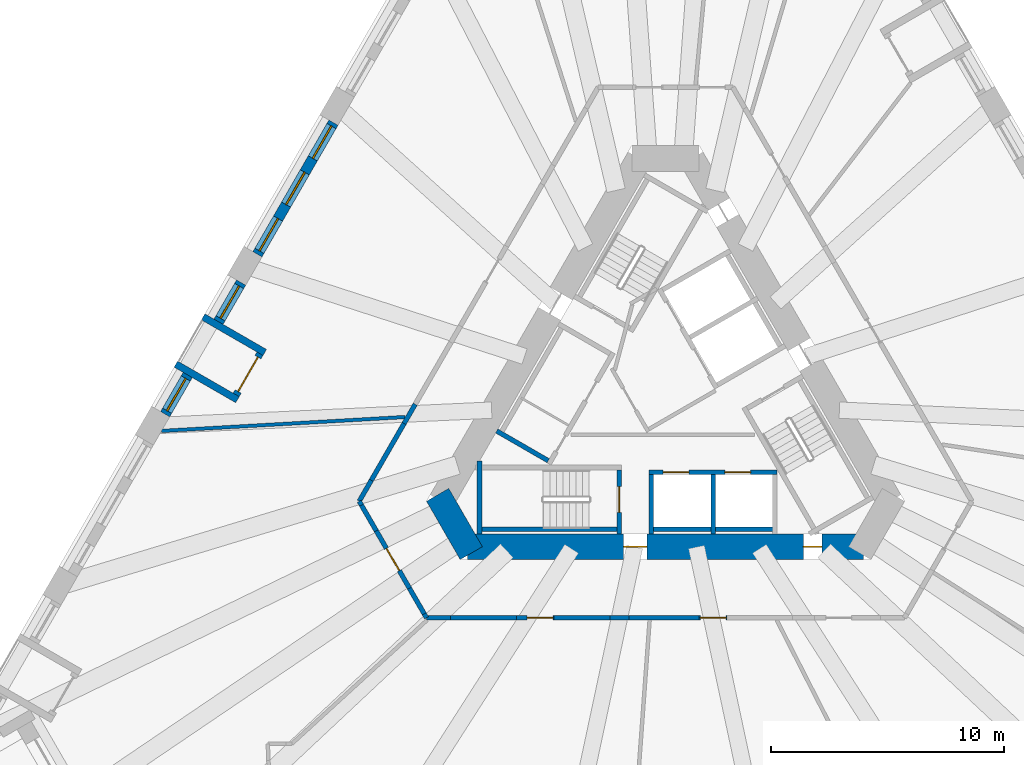
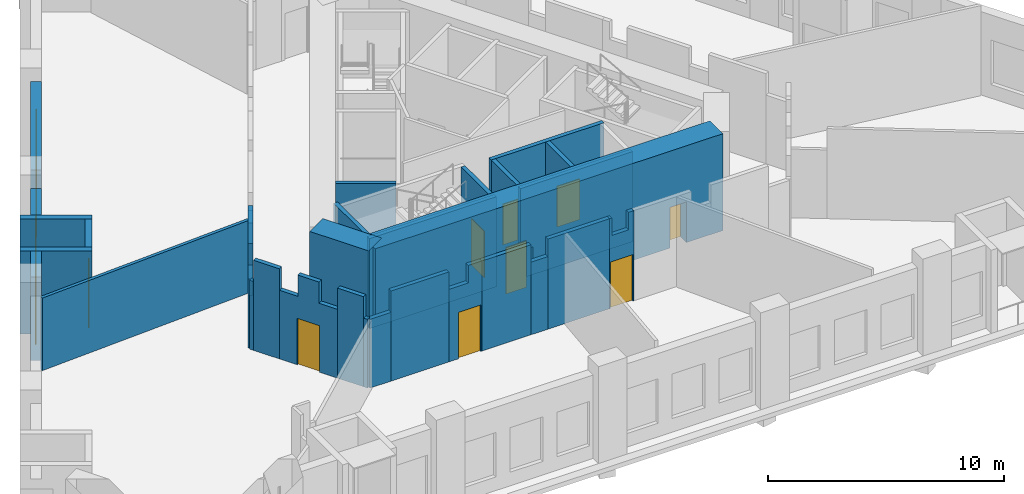
# One storey, part 3 of 12: 32 walls, 9 doors, 5 windows, 14 openings.
"""IFC4 building model written with IfcOpenShell, lengths in metres."""

from ifc_helpers import new_model, si_unit, direction, frame, frame_2d, origin, place, context, subcontext, project, spatial, polyline, rectangle, outline, extrude, material, layer, layer_set, type_object, element, fill, save


model = new_model("IFC4")

# Units and contexts
model_context = context("Model", 3, precision=1e-05, world=origin(), true_north=direction((0.0, 1.0)))
body_context = subcontext(model_context, "Body", "Model", "MODEL_VIEW")
ifc_project = project(units=[si_unit("LENGTHUNIT", "METRE"), si_unit("AREAUNIT", "SQUARE_METRE"), si_unit("VOLUMEUNIT", "CUBIC_METRE"), si_unit("PLANEANGLEUNIT", "RADIAN"), si_unit("MASSUNIT", "GRAM", prefix="KILO")], contexts=[model_context])

# Site, building, storey
site_placement = place(None, origin())
site = spatial("IfcSite", under=ifc_project, at=site_placement, CompositionType="ELEMENT")
building_placement = place(site_placement, origin())
building = spatial("IfcBuilding", under=site, at=building_placement, Name="Tramontana Tower", CompositionType="ELEMENT")
storey_placement = place(building_placement, frame((0.0, 0.0, 25.0)))
storey = spatial("IfcBuildingStorey", under=building, at=storey_placement, Name="L04", CompositionType="ELEMENT", Elevation=25.0)

# Wall
ifc_material_1 = material(Name="Concrete 70 MPa", Category="concrete")
ifc_layer_1 = layer(ifc_material_1, 1.10009765625)
ifc_layer_set_1 = layer_set([ifc_layer_1], Name="Core wall 1100 70 MPa")
wall_type_1 = type_object("IfcWallType", Name="Core wall 1100 70 MPa", PredefinedType="SHEAR", material=ifc_layer_set_1)
wall_1_placement = place(storey_placement, frame((-9.771728515625, -3.97509765625, 0.0), z_axis=(0.0, 0.0, 1.0), x_axis=(0.499995765644, -0.866027848477, 0.0)))
element("IfcWall", 1, at=wall_1_placement, inside=storey, type_object=wall_type_1, Name="Core wall C2 L04", PredefinedType="SHEAR", context=body_context, shape_type="SweptSolid", body=[
    extrude(rectangle(XDim=2.88671875, YDim=1.10009765625, at=frame_2d((1.443359375, 0.0))), origin(), (0.0, 0.0, 1.0), 5.0),
])

# Wall, openings, doors
wall_2_placement = place(storey_placement, frame((-8.487060546875, -6.199951171875, 0.0), z_axis=(0.0, 0.0, 1.0), x_axis=(1.0, 0.0, 0.0)))
wall_2 = element("IfcWall", 2, at=wall_2_placement, inside=storey, type_object=wall_type_1, Name="Core wall C3 L04", PredefinedType="SHEAR", context=body_context, shape_type="SweptSolid", body=[
    extrude(rectangle(XDim=16.97412109375, YDim=1.10009765625, at=frame_2d((8.487060546875, 0.0))), origin(), (0.0, 0.0, 1.0), 5.0),
])
opening_1_placement = place(wall_2_placement, frame((6.69189453125, 0.0, 0.0)))
opening_1 = element("IfcOpeningElement", 3, at=opening_1_placement, cuts=wall_2, Name="Opening RG2", PredefinedType="OPENING", context=body_context, shape_type="SweptSolid", body=[
    extrude(rectangle(XDim=1.0, YDim=2.39990234375, at=frame_2d((0.5, 1.199951171875))), frame((0.0, 0.56005859375, 0.0), z_axis=(0.0, -1.0, 0.0), x_axis=(1.0, 0.0, 0.0)), (0.0, 0.0, 1.0), 1.1201171875),
])
opening_2_placement = place(wall_2_placement, frame((14.39697265625, 0.0, 0.0)))
opening_2 = element("IfcOpeningElement", 4, at=opening_2_placement, cuts=wall_2, Name="Opening PD2", PredefinedType="OPENING", context=body_context, shape_type="SweptSolid", body=[
    extrude(rectangle(XDim=0.800048828125, YDim=2.10009765625, at=frame_2d((0.39990234375, 1.050048828125))), frame((0.0, 0.56005859375, 0.0), z_axis=(0.0, -1.0, 0.0), x_axis=(1.0, 0.0, 0.0)), (0.0, 0.0, 1.0), 1.1201171875),
])
ifc_material_2 = material(Name="Painted steel", Category="steel")
door_type_1 = type_object("IfcDoorType", Name="CUPBOARD DOOR 800", OperationType="SINGLE_SWING_LEFT", PredefinedType="DOOR", material=ifc_material_2)
door_1_placement = place(opening_2_placement, origin())
door_1 = element("IfcDoor", 5, at=door_1_placement, inside=storey, type_object=door_type_1, Name="Door PD2", OperationType="SINGLE_SWING_LEFT", OverallHeight=2.10009765625, OverallWidth=0.800048828125, PredefinedType="DOOR", context=body_context, shape_type="SweptSolid", body=[
    extrude(rectangle(XDim=0.800048828125, YDim=2.10009765625, at=frame_2d((0.39990234375, 1.050048828125))), frame((0.0, 0.02490234375, 0.0), z_axis=(0.0, -1.0, 0.0), x_axis=(1.0, 0.0, 0.0)), (0.0, 0.0, 1.0), 0.050048828125),
])
fill(opening_2, door_1)
ifc_material_3 = material(Name="Painted steel", Category="steel")
door_type_2 = type_object("IfcDoorType", Name="RING DOOR 1000", OperationType="SINGLE_SWING_LEFT", PredefinedType="DOOR", material=ifc_material_3)
door_2_placement = place(opening_1_placement, origin())
door_2 = element("IfcDoor", 6, at=door_2_placement, inside=storey, type_object=door_type_2, Name="Door RG2", OperationType="SINGLE_SWING_LEFT", OverallHeight=2.39990234375, OverallWidth=1.0, PredefinedType="DOOR", context=body_context, shape_type="SweptSolid", body=[
    extrude(rectangle(XDim=1.0, YDim=2.39990234375, at=frame_2d((0.5, 1.199951171875))), frame((0.0, 0.02490234375, 0.0), z_axis=(0.0, -1.0, 0.0), x_axis=(1.0, 0.0, 0.0)), (0.0, 0.0, 1.0), 0.050048828125),
])
fill(opening_1, door_2)

# Wall, opening, door
ifc_material_4 = material(Name="Blockwork", Category="masonry")
ifc_layer_2 = layer(ifc_material_4, 0.199951171875)
ifc_layer_set_2 = layer_set([ifc_layer_2], Name="ENTRY WALL 200")
wall_type_2 = type_object("IfcWallType", Name="ENTRY WALL 200", PredefinedType="SOLIDWALL", material=ifc_layer_set_2)
wall_3_placement = place(storey_placement, frame((2.64501953125, -9.25, 0.0), z_axis=(0.0, 0.0, 1.0), x_axis=(-1.0, 0.0, 0.0)))
wall_3 = element("IfcWall", 7, at=wall_3_placement, inside=storey, type_object=wall_type_2, Name="Wall ew2-4", PredefinedType="SOLIDWALL", context=body_context, shape_type="SweptSolid", body=[
    extrude(outline(polyline([(0.0, 0.0), (1.199951171875, 0.0), (1.199951171875, 4.64990234375), (1.080078125, 4.64990234375), (1.080078125, 3.75), (0.261962890625, 3.75), (0.261962890625, 4.64990234375), (0.0, 4.64990234375), (0.0, 0.0)])), frame((0.0, 0.10009765625, 0.0), z_axis=(0.0, -1.0, 0.0), x_axis=(1.0, 0.0, 0.0)), (0.0, 0.0, 1.0), 0.199951171875),
])
opening_3_placement = place(wall_3_placement, frame((0.050048828125, 0.0, 0.0)))
opening_3 = element("IfcOpeningElement", 8, at=opening_3_placement, cuts=wall_3, Name="Opening L04-04", PredefinedType="OPENING", context=body_context, shape_type="SweptSolid", body=[
    extrude(rectangle(XDim=1.10009765625, YDim=2.39990234375, at=frame_2d((0.550048828125, 1.199951171875))), frame((0.0, 0.10986328125, 0.0), z_axis=(0.0, -1.0, 0.0), x_axis=(1.0, 0.0, 0.0)), (0.0, 0.0, 1.0), 0.219970703125),
])
ifc_material_5 = material(Name="Painted timber", Category="wood")
door_type_3 = type_object("IfcDoorType", Name="DOOR ENTRY 1100", OperationType="SINGLE_SWING_LEFT", PredefinedType="DOOR", material=ifc_material_5)
door_3_placement = place(opening_3_placement, origin())
door_3 = element("IfcDoor", 9, at=door_3_placement, inside=storey, type_object=door_type_3, Name="Door L04-04", OperationType="SINGLE_SWING_RIGHT", OverallHeight=2.39990234375, OverallWidth=1.10009765625, PredefinedType="DOOR", context=body_context, shape_type="SweptSolid", body=[
    extrude(rectangle(XDim=1.10009765625, YDim=2.39990234375, at=frame_2d((0.550048828125, 1.199951171875))), frame((0.0, 0.02490234375, 0.0), z_axis=(0.0, -1.0, 0.0), x_axis=(1.0, 0.0, 0.0)), (0.0, 0.0, 1.0), 0.050048828125),
])
fill(opening_3, door_3)

# Walls
wall_4_placement = place(storey_placement, frame((1.445068359375, -9.25, 0.0), z_axis=(0.0, 0.0, 1.0), x_axis=(-1.0, 0.0, 0.0)))
element("IfcWall", 10, at=wall_4_placement, inside=storey, type_object=wall_type_2, Name="Wall ew2-5", PredefinedType="SOLIDWALL", context=body_context, shape_type="SweptSolid", body=[
    extrude(rectangle(XDim=3.01025390625, YDim=0.199951171875, at=frame_2d((1.505126953125, 0.0))), origin(), (0.0, 0.0, 1.0), 4.64990234375),
])
wall_5_placement = place(storey_placement, frame((-1.565185546875, -9.25, 0.0), z_axis=(0.0, 0.0, 1.0), x_axis=(-1.0, 0.0, 0.0)))
element("IfcWall", 11, at=wall_5_placement, inside=storey, type_object=wall_type_2, Name="Wall ew2-6", PredefinedType="SOLIDWALL", context=body_context, shape_type="SweptSolid", body=[
    extrude(rectangle(XDim=0.81787109375, YDim=0.199951171875, at=frame_2d((0.408935546875, 0.0))), origin(), (0.0, 0.0, 1.0), 3.75),
])
wall_6_placement = place(storey_placement, frame((-2.383056640625, -9.25, 0.0), z_axis=(0.0, 0.0, 1.0), x_axis=(-1.0, 0.0, 0.0)))
element("IfcWall", 12, at=wall_6_placement, inside=storey, type_object=wall_type_2, Name="Wall ew2-7", PredefinedType="SOLIDWALL", context=body_context, shape_type="SweptSolid", body=[
    extrude(rectangle(XDim=2.40087890625, YDim=0.199951171875, at=frame_2d((1.200439453125, 0.0))), origin(), (0.0, 0.0, 1.0), 4.64990234375),
])

# Wall, opening, door
wall_7_placement = place(storey_placement, frame((-4.783935546875, -9.25, 0.0), z_axis=(0.0, 0.0, 1.0), x_axis=(-1.0, 0.0, 0.0)))
wall_7 = element("IfcWall", 13, at=wall_7_placement, inside=storey, type_object=wall_type_2, Name="Wall ew2-8", PredefinedType="SOLIDWALL", context=body_context, shape_type="SweptSolid", body=[
    extrude(outline(polyline([(0.0, 0.0), (1.613525390625, 0.0), (1.61328125, 3.75), (0.663330078125, 3.75), (0.663330078125, 4.64990234375), (0.0, 4.64990234375), (0.0, 0.0)])), frame((0.0, 0.10009765625, 0.0), z_axis=(0.0, -1.0, 0.0), x_axis=(1.0, 0.0, 0.0)), (0.0, 0.0, 1.0), 0.199951171875),
])
opening_4_placement = place(wall_7_placement, frame((0.050048828125, 0.0, 0.0)))
opening_4 = element("IfcOpeningElement", 14, at=opening_4_placement, cuts=wall_7, Name="Opening L04-03", PredefinedType="OPENING", context=body_context, shape_type="SweptSolid", body=[
    extrude(rectangle(XDim=1.10009765625, YDim=2.39990234375, at=frame_2d((0.550048828125, 1.199951171875))), frame((0.0, 0.10986328125, 0.0), z_axis=(0.0, -1.0, 0.0), x_axis=(1.0, 0.0, 0.0)), (0.0, 0.0, 1.0), 0.219970703125),
])
door_4_placement = place(opening_4_placement, origin())
door_4 = element("IfcDoor", 15, at=door_4_placement, inside=storey, type_object=door_type_3, Name="Door L04-03", OperationType="SINGLE_SWING_LEFT", OverallHeight=2.39990234375, OverallWidth=1.10009765625, PredefinedType="DOOR", context=body_context, shape_type="SweptSolid", body=[
    extrude(rectangle(XDim=1.10009765625, YDim=2.39990234375, at=frame_2d((0.550048828125, 1.199951171875))), frame((0.0, 0.02490234375, 0.0), z_axis=(0.0, -1.0, 0.0), x_axis=(1.0, 0.0, 0.0)), (0.0, 0.0, 1.0), 0.050048828125),
])
fill(opening_4, door_4)

# Walls
wall_8_placement = place(storey_placement, frame((-6.3974609375, -9.25, 0.0), z_axis=(0.0, 0.0, 1.0), x_axis=(-1.0, 0.0, 0.0)))
element("IfcWall", 16, at=wall_8_placement, inside=storey, type_object=wall_type_2, Name="Wall ew2-9", PredefinedType="SOLIDWALL", context=body_context, shape_type="SweptSolid", body=[
    extrude(rectangle(XDim=2.815185546875, YDim=0.199951171875, at=frame_2d((1.40771484375, 0.0))), origin(), (0.0, 0.0, 1.0), 4.64990234375),
])
wall_9_placement = place(storey_placement, frame((-9.212646484375, -9.25, 0.0), z_axis=(0.0, 0.0, 1.0), x_axis=(-1.0, 0.0, 0.0)))
element("IfcWall", 17, at=wall_9_placement, inside=storey, type_object=wall_type_2, Name="Wall ew2-10", PredefinedType="SOLIDWALL", context=body_context, shape_type="SweptSolid", body=[
    extrude(rectangle(XDim=1.035400390625, YDim=0.199951171875, at=frame_2d((0.517578125, 0.0))), origin(), (0.0, 0.0, 1.0), 3.550048828125),
])
wall_10_placement = place(storey_placement, frame((-10.248046875, -9.25, 0.0), z_axis=(0.0, 0.0, 1.0), x_axis=(-0.499865263774, 0.866103179807, 0.0)))
element("IfcWall", 18, at=wall_10_placement, inside=storey, type_object=wall_type_2, Name="Wall ew3-0", PredefinedType="SOLIDWALL", context=body_context, shape_type="SweptSolid", body=[
    extrude(rectangle(XDim=0.197265625, YDim=0.199951171875, at=frame_2d((0.0986328125, 0.0))), origin(), (0.0, 0.0, 1.0), 3.550048828125),
])
wall_11_placement = place(storey_placement, frame((-10.3466796875, -9.0791015625, 0.0), z_axis=(0.0, 0.0, 1.0), x_axis=(-0.499911523785, 0.866076479525, 0.0)))
element("IfcWall", 19, at=wall_11_placement, inside=storey, type_object=wall_type_2, Name="Wall ew3-1", PredefinedType="SOLIDWALL", context=body_context, shape_type="SweptSolid", body=[
    extrude(rectangle(XDim=1.266845703125, YDim=0.199951171875, at=frame_2d((0.63330078125, 0.0))), origin(), (0.0, 0.0, 1.0), 4.64990234375),
])

# Wall, opening, door
wall_12_placement = place(storey_placement, frame((-10.97998046875, -7.98193359375, 0.0), z_axis=(0.0, 0.0, 1.0), x_axis=(-0.500024525844, 0.866011243319, 0.0)))
wall_12 = element("IfcWall", 20, at=wall_12_placement, inside=storey, type_object=wall_type_2, Name="Wall ew3-2", PredefinedType="SOLIDWALL", context=body_context, shape_type="SweptSolid", body=[
    extrude(outline(polyline([(0.0, 0.0), (2.844970703125, 0.0), (2.84521484375, 3.550048828125), (1.94287109375, 3.550048828125), (1.94287109375, 4.64990234375), (0.90234375, 4.64990234375), (0.90234375, 3.550048828125), (0.0, 3.550048828125), (0.0, 0.0)])), frame((0.0, 0.10009765625, 0.0), z_axis=(0.0, -1.0, 0.0), x_axis=(1.0, 0.0, 0.0)), (0.0, 0.0, 1.0), 0.199951171875),
])
opening_5_placement = place(wall_12_placement, frame((0.87255859375, 0.0, 0.0)))
opening_5 = element("IfcOpeningElement", 21, at=opening_5_placement, cuts=wall_12, Name="Opening L04-02", PredefinedType="OPENING", context=body_context, shape_type="SweptSolid", body=[
    extrude(rectangle(XDim=1.10009765625, YDim=2.39990234375, at=frame_2d((0.550048828125, 1.199951171875))), frame((0.0, 0.10986328125, 0.0), z_axis=(0.0, -1.0, 0.0), x_axis=(1.0, 0.0, 0.0)), (0.0, 0.0, 1.0), 0.219970703125),
])
door_5_placement = place(opening_5_placement, origin())
door_5 = element("IfcDoor", 22, at=door_5_placement, inside=storey, type_object=door_type_3, Name="Door L04-02", OperationType="SINGLE_SWING_RIGHT", OverallHeight=2.39990234375, OverallWidth=1.10009765625, PredefinedType="DOOR", context=body_context, shape_type="SweptSolid", body=[
    extrude(rectangle(XDim=1.10009765625, YDim=2.39990234375, at=frame_2d((0.550048828125, 1.199951171875))), frame((0.0, 0.02490234375, 0.0), z_axis=(0.0, -1.0, 0.0), x_axis=(1.0, 0.0, 0.0)), (0.0, 0.0, 1.0), 0.050048828125),
])
fill(opening_5, door_5)

# Walls
wall_13_placement = place(storey_placement, frame((-12.402587890625, -5.51806640625, 0.0), z_axis=(0.0, 0.0, 1.0), x_axis=(-0.500056058743, 0.865993035835, 0.0)))
element("IfcWall", 23, at=wall_13_placement, inside=storey, type_object=wall_type_2, Name="Wall ew3-3", PredefinedType="SOLIDWALL", context=body_context, shape_type="SweptSolid", body=[
    extrude(rectangle(XDim=1.266845703125, YDim=0.199951171875, at=frame_2d((0.63330078125, 0.0))), origin(), (0.0, 0.0, 1.0), 4.64990234375),
])
wall_14_placement = place(storey_placement, frame((-13.0361328125, -4.4208984375, 0.0), z_axis=(0.0, 0.0, 1.0), x_axis=(-0.499865263774, 0.866103179807, 0.0)))
element("IfcWall", 24, at=wall_14_placement, inside=storey, type_object=wall_type_2, Name="Wall ew3-4", PredefinedType="SOLIDWALL", context=body_context, shape_type="SweptSolid", body=[
    extrude(rectangle(XDim=0.197265625, YDim=0.199951171875, at=frame_2d((0.0986328125, 0.0))), origin(), (0.0, 0.0, 1.0), 3.550048828125),
])
wall_15_placement = place(storey_placement, frame((-13.134765625, -4.25, 0.0), z_axis=(0.0, 0.0, 1.0), x_axis=(0.500171514983, 0.865926356915, 0.0)))
element("IfcWall", 25, at=wall_15_placement, inside=storey, type_object=wall_type_2, Name="Wall ew4-0", PredefinedType="SOLIDWALL", context=body_context, shape_type="SweptSolid", body=[
    extrude(rectangle(XDim=1.035400390625, YDim=0.199951171875, at=frame_2d((0.517578125, 0.0))), origin(), (0.0, 0.0, 1.0), 3.550048828125),
])
wall_16_placement = place(storey_placement, frame((-12.616943359375, -3.353515625, 0.0), z_axis=(0.0, 0.0, 1.0), x_axis=(0.49993514545, 0.866062844338, 0.0)))
element("IfcWall", 26, at=wall_16_placement, inside=storey, type_object=wall_type_2, Name="Wall ew4-1", PredefinedType="SOLIDWALL", context=body_context, shape_type="SweptSolid", body=[
    extrude(rectangle(XDim=2.815185546875, YDim=0.199951171875, at=frame_2d((1.40771484375, 0.0))), origin(), (0.0, 0.0, 1.0), 4.64990234375),
])
wall_17_placement = place(storey_placement, frame((-11.20947265625, -0.915283203125, 0.0), z_axis=(0.0, 0.0, 1.0), x_axis=(0.500174821557, 0.865924446982, 0.0)))
element("IfcWall", 27, at=wall_17_placement, inside=storey, type_object=wall_type_2, Name="Wall ew4-2", PredefinedType="SOLIDWALL", context=body_context, shape_type="SweptSolid", body=[
    extrude(rectangle(XDim=0.949951171875, YDim=0.199951171875, at=frame_2d((0.47509765625, 0.0))), origin(), (0.0, 0.0, 1.0), 3.75),
])

# Wall, openings, windows
ifc_material_6 = material(Name="Precast concrete 60 MPa", Category="concrete")
ifc_layer_3 = layer(ifc_material_6, 0.449951171875)
ifc_layer_set_3 = layer_set([ifc_layer_3], Name="Precast concrete 60 MPa, 450 mm")
wall_type_3 = type_object("IfcWallType", Name="EW1 Stone-faced precast wall 450", PredefinedType="SOLIDWALL", material=ifc_layer_set_3)
wall_18_placement = place(storey_placement, frame((-14.240478515625, 11.98486328125, 0.0), z_axis=(0.0, 0.0, 1.0), x_axis=(-0.500002371706, -0.866024034475, 0.0)))
wall_18 = element("IfcWall", 28, at=wall_18_placement, inside=storey, type_object=wall_type_3, Name="External wall L04 face 0 bay 4", PredefinedType="SOLIDWALL", context=body_context, shape_type="SweptSolid", body=[
    extrude(rectangle(XDim=6.51806640625, YDim=0.449951171875, at=frame_2d((3.259033203125, 0.0))), origin(), (0.0, 0.0, 1.0), 4.300048828125),
])
opening_6_placement = place(wall_18_placement, frame((0.169677734375, 0.0, 0.699951171875)))
opening_6 = element("IfcOpeningElement", 29, at=opening_6_placement, cuts=wall_18, Name="Opening M1", PredefinedType="OPENING", context=body_context, shape_type="SweptSolid", body=[
    extrude(rectangle(XDim=1.60009765625, YDim=2.300048828125, at=frame_2d((0.800048828125, 1.14990234375))), frame((0.0, 0.23486328125, 0.0), z_axis=(0.0, -1.0, 0.0), x_axis=(1.0, 0.0, 0.0)), (0.0, 0.0, 1.0), 0.469970703125),
])
opening_7_placement = place(wall_18_placement, frame((2.458984375, 0.0, 0.699951171875)))
opening_7 = element("IfcOpeningElement", 30, at=opening_7_placement, cuts=wall_18, Name="Opening M1", PredefinedType="OPENING", context=body_context, shape_type="SweptSolid", body=[
    extrude(rectangle(XDim=1.60009765625, YDim=2.300048828125, at=frame_2d((0.800048828125, 1.14990234375))), frame((0.0, 0.23486328125, 0.0), z_axis=(0.0, -1.0, 0.0), x_axis=(1.0, 0.0, 0.0)), (0.0, 0.0, 1.0), 0.469970703125),
])
opening_8_placement = place(wall_18_placement, frame((4.748291015625, 0.0, 0.699951171875)))
opening_8 = element("IfcOpeningElement", 31, at=opening_8_placement, cuts=wall_18, Name="Opening M1", PredefinedType="OPENING", context=body_context, shape_type="SweptSolid", body=[
    extrude(rectangle(XDim=1.60009765625, YDim=2.300048828125, at=frame_2d((0.800048828125, 1.14990234375))), frame((0.0, 0.23486328125, 0.0), z_axis=(0.0, -1.0, 0.0), x_axis=(1.0, 0.0, 0.0)), (0.0, 0.0, 1.0), 0.469970703125),
])
ifc_material_7 = material(Name="Aluminum frame, double glazing unit", Category="aluminium")
window_type = type_object("IfcWindowType", Name="M1 Window 1.6 x 2.3", PartitioningType="SINGLE_PANEL", PredefinedType="WINDOW", material=ifc_material_7)
window_1_placement = place(opening_6_placement, origin())
window_1 = element("IfcWindow", 32, at=window_1_placement, inside=storey, type_object=window_type, Name="Window M1 L04 face 0 module 10", OverallHeight=2.300048828125, OverallWidth=1.60009765625, PartitioningType="SINGLE_PANEL", PredefinedType="WINDOW", context=body_context, shape_type="SweptSolid", body=[
    extrude(rectangle(XDim=1.60009765625, YDim=2.300048828125, at=frame_2d((0.800048828125, 1.14990234375))), frame((0.0, 0.030029296875, 0.0), z_axis=(0.0, -1.0, 0.0), x_axis=(1.0, 0.0, 0.0)), (0.0, 0.0, 1.0), 0.06005859375),
])
fill(opening_6, window_1)
window_2_placement = place(opening_7_placement, origin())
window_2 = element("IfcWindow", 33, at=window_2_placement, inside=storey, type_object=window_type, Name="Window M1 L04 face 0 module 11", OverallHeight=2.300048828125, OverallWidth=1.60009765625, PartitioningType="SINGLE_PANEL", PredefinedType="WINDOW", context=body_context, shape_type="SweptSolid", body=[
    extrude(rectangle(XDim=1.60009765625, YDim=2.300048828125, at=frame_2d((0.800048828125, 1.14990234375))), frame((0.0, 0.030029296875, 0.0), z_axis=(0.0, -1.0, 0.0), x_axis=(1.0, 0.0, 0.0)), (0.0, 0.0, 1.0), 0.06005859375),
])
fill(opening_7, window_2)
window_3_placement = place(opening_8_placement, origin())
window_3 = element("IfcWindow", 34, at=window_3_placement, inside=storey, type_object=window_type, Name="Window M1 L04 face 0 module 12", OverallHeight=2.300048828125, OverallWidth=1.60009765625, PartitioningType="SINGLE_PANEL", PredefinedType="WINDOW", context=body_context, shape_type="SweptSolid", body=[
    extrude(rectangle(XDim=1.60009765625, YDim=2.300048828125, at=frame_2d((0.800048828125, 1.14990234375))), frame((0.0, 0.030029296875, 0.0), z_axis=(0.0, -1.0, 0.0), x_axis=(1.0, 0.0, 0.0)), (0.0, 0.0, 1.0), 0.06005859375),
])
fill(opening_8, window_3)

# Wall, opening, window
wall_19_placement = place(storey_placement, frame((-18.199462890625, 5.127685546875, 0.0), z_axis=(0.0, 0.0, 1.0), x_axis=(-0.499944052521, -0.866057702667, 0.0)))
wall_19 = element("IfcWall", 35, at=wall_19_placement, inside=storey, type_object=wall_type_3, Name="External wall L04 face 0 bay 5", PredefinedType="SOLIDWALL", context=body_context, shape_type="SweptSolid", body=[
    extrude(rectangle(XDim=1.939208984375, YDim=0.449951171875, at=frame_2d((0.9697265625, 0.0))), origin(), (0.0, 0.0, 1.0), 4.300048828125),
])
opening_9_placement = place(wall_19_placement, frame((0.169677734375, 0.0, 0.699951171875)))
opening_9 = element("IfcOpeningElement", 36, at=opening_9_placement, cuts=wall_19, Name="Opening M1", PredefinedType="OPENING", context=body_context, shape_type="SweptSolid", body=[
    extrude(rectangle(XDim=1.60009765625, YDim=2.300048828125, at=frame_2d((0.800048828125, 1.14990234375))), frame((0.0, 0.23486328125, 0.0), z_axis=(0.0, -1.0, 0.0), x_axis=(1.0, 0.0, 0.0)), (0.0, 0.0, 1.0), 0.469970703125),
])
window_4_placement = place(opening_9_placement, origin())
window_4 = element("IfcWindow", 37, at=window_4_placement, inside=storey, type_object=window_type, Name="Window M1 L04 face 0 module 13", OverallHeight=2.300048828125, OverallWidth=1.60009765625, PartitioningType="SINGLE_PANEL", PredefinedType="WINDOW", context=body_context, shape_type="SweptSolid", body=[
    extrude(rectangle(XDim=1.60009765625, YDim=2.300048828125, at=frame_2d((0.800048828125, 1.14990234375))), frame((0.0, 0.030029296875, 0.0), z_axis=(0.0, -1.0, 0.0), x_axis=(1.0, 0.0, 0.0)), (0.0, 0.0, 1.0), 0.06005859375),
])
fill(opening_9, window_4)

wall_20_placement = place(storey_placement, frame((-20.48876953125, 1.16259765625, 0.0), z_axis=(0.0, 0.0, 1.0), x_axis=(-0.49998396455, -0.866034661658, 0.0)))
wall_20 = element("IfcWall", 38, at=wall_20_placement, inside=storey, type_object=wall_type_3, Name="External wall L04 face 0 bay 5", PredefinedType="SOLIDWALL", context=body_context, shape_type="SweptSolid", body=[
    extrude(rectangle(XDim=1.939453125, YDim=0.449951171875, at=frame_2d((0.9697265625, 0.0))), origin(), (0.0, 0.0, 1.0), 4.300048828125),
])
opening_10_placement = place(wall_20_placement, frame((0.169677734375, 0.0, 0.699951171875)))
opening_10 = element("IfcOpeningElement", 39, at=opening_10_placement, cuts=wall_20, Name="Opening M1", PredefinedType="OPENING", context=body_context, shape_type="SweptSolid", body=[
    extrude(rectangle(XDim=1.60009765625, YDim=2.300048828125, at=frame_2d((0.800048828125, 1.14990234375))), frame((0.0, 0.23486328125, 0.0), z_axis=(0.0, -1.0, 0.0), x_axis=(1.0, 0.0, 0.0)), (0.0, 0.0, 1.0), 0.469970703125),
])
window_5_placement = place(opening_10_placement, origin())
window_5 = element("IfcWindow", 40, at=window_5_placement, inside=storey, type_object=window_type, Name="Window M1 L04 face 0 module 15", OverallHeight=2.300048828125, OverallWidth=1.60009765625, PartitioningType="SINGLE_PANEL", PredefinedType="WINDOW", context=body_context, shape_type="SweptSolid", body=[
    extrude(rectangle(XDim=1.60009765625, YDim=2.300048828125, at=frame_2d((0.800048828125, 1.14990234375))), frame((0.0, 0.030029296875, 0.0), z_axis=(0.0, -1.0, 0.0), x_axis=(1.0, 0.0, 0.0)), (0.0, 0.0, 1.0), 0.06005859375),
])
fill(opening_10, window_5)

# Wall, opening, door
ifc_material_8 = material(Name="Precast concrete 60 MPa", Category="concrete")
ifc_layer_4 = layer(ifc_material_8, 0.300048828125)
ifc_layer_set_4 = layer_set([ifc_layer_4], Name="LW1 Stone-faced loggia wall 300")
wall_type_4 = type_object("IfcWallType", Name="LW1 Stone-faced loggia wall 300", PredefinedType="SOLIDWALL", material=ifc_layer_set_4)
wall_21_placement = place(storey_placement, frame((-17.39208984375, 2.075927734375, 0.0), z_axis=(0.0, 0.0, 1.0), x_axis=(-0.500040236659, -0.866002171892, 0.0)))
wall_21 = element("IfcWall", 41, at=wall_21_placement, inside=storey, type_object=wall_type_4, Name="Loggia wall L04 G0S0.13", PredefinedType="SOLIDWALL", context=body_context, shape_type="SweptSolid", body=[
    extrude(rectangle(XDim=2.039306640625, YDim=0.300048828125, at=frame_2d((1.01953125, 0.0))), origin(), (0.0, 0.0, 1.0), 4.300048828125),
])
opening_11_placement = place(wall_21_placement, frame((0.169677734375, 0.0, 0.0)))
opening_11 = element("IfcOpeningElement", 42, at=opening_11_placement, cuts=wall_21, Name="Opening BD-0S0-13", PredefinedType="OPENING", context=body_context, shape_type="SweptSolid", body=[
    extrude(rectangle(XDim=1.699951171875, YDim=2.39990234375, at=frame_2d((0.85009765625, 1.199951171875))), frame((0.0, 0.159912109375, 0.0), z_axis=(0.0, -1.0, 0.0), x_axis=(1.0, 0.0, 0.0)), (0.0, 0.0, 1.0), 0.320068359375),
])
ifc_material_9 = material(Name="Aluminum frame, double glazing unit", Category="aluminium")
door_type_4 = type_object("IfcDoorType", Name="BD1 Sliding door 1.7 x 2.4", OperationType="SLIDING_TO_LEFT", PredefinedType="DOOR", material=ifc_material_9)
door_6_placement = place(opening_11_placement, origin())
door_6 = element("IfcDoor", 43, at=door_6_placement, inside=storey, type_object=door_type_4, Name="Loggia door L04 G0S0.13", OperationType="SLIDING_TO_LEFT", OverallHeight=2.39990234375, OverallWidth=1.699951171875, PredefinedType="DOOR", context=body_context, shape_type="SweptSolid", body=[
    extrude(rectangle(XDim=1.699951171875, YDim=2.39990234375, at=frame_2d((0.85009765625, 1.199951171875))), frame((0.0, 0.02490234375, 0.0), z_axis=(0.0, -1.0, 0.0), x_axis=(1.0, 0.0, 0.0)), (0.0, 0.0, 1.0), 0.050048828125),
])
fill(opening_11, door_6)

# Walls
for number, where, z_axis, x_axis, name in (
    (44, (-19.82861328125, 3.65576171875, 0.0), (0.0, 0.0, 1.0), (0.866037623948, -0.499978833458, 0.0), "Loggia return L04 G0S0.13a"),
    (45, (-20.998291015625, 1.6298828125, 0.0), (0.0, 0.0, 1.0), (0.866037623948, -0.499978833458, 0.0), "Loggia return L04 G0S0.13b"),
):
    element("IfcWall", number, at=place(storey_placement, frame(where, z_axis=z_axis, x_axis=x_axis)), inside=storey, type_object=wall_type_4, Name=name, PredefinedType="SOLIDWALL", context=body_context, shape_type="SweptSolid", body=[
        extrude(rectangle(XDim=3.050048828125, YDim=0.300048828125, at=frame_2d((1.52490234375, 0.0))), origin(), (0.0, 0.0, 1.0), 4.300048828125),
    ])
ifc_material_10 = material(Name="Gypsum board partition")
ifc_layer_5 = layer(ifc_material_10, 0.14990234375)
ifc_layer_set_5 = layer_set([ifc_layer_5], Name="PARTITION 150")
wall_type_5 = type_object("IfcWallType", Name="PARTITION 150", PredefinedType="PARTITIONING", material=ifc_layer_set_5)
wall_22_placement = place(storey_placement, frame((-11.1650390625, -0.638427734375, 0.0), z_axis=(0.0, 0.0, 1.0), x_axis=(-0.998370726965, -0.05706042008, 0.0)))
element("IfcWall", 46, at=wall_22_placement, inside=storey, type_object=wall_type_5, Name="Wall fw-pw03-0", PredefinedType="PARTITIONING", context=body_context, shape_type="SweptSolid", body=[
    extrude(rectangle(XDim=10.465576171875, YDim=0.14990234375, at=frame_2d((5.23291015625, 0.0))), origin(), (0.0, 0.0, 1.0), 3.75),
])
ifc_material_11 = material(Name="Concrete 70 MPa", Category="concrete")
ifc_layer_6 = layer(ifc_material_11, 0.199951171875)
ifc_layer_set_6 = layer_set([ifc_layer_6], Name="Concrete 70 MPa, 200 mm")
wall_type_6 = type_object("IfcWallType", Name="RC SHAFT BACK WALL 200", PredefinedType="SOLIDWALL", material=ifc_layer_set_6)
wall_23_placement = place(storey_placement, frame((-8.080078125, -5.449951171875, 0.0), z_axis=(0.0, 0.0, 1.0), x_axis=(1.0, 0.0, 0.0)))
element("IfcWall", 47, at=wall_23_placement, inside=storey, type_object=wall_type_6, Name="Wall st2-back", PredefinedType="SOLIDWALL", context=body_context, shape_type="SweptSolid", body=[
    extrude(rectangle(XDim=6.2001953125, YDim=0.199951171875, at=frame_2d((3.10009765625, 0.0))), origin(), (0.0, 0.0, 1.0), 4.64990234375),
])
wall_24_placement = place(storey_placement, frame((-0.7099609375, -5.449951171875, 0.0), z_axis=(0.0, 0.0, 1.0), x_axis=(1.0, 0.0, 0.0)))
element("IfcWall", 48, at=wall_24_placement, inside=storey, type_object=wall_type_6, Name="Wall row1-back", PredefinedType="SOLIDWALL", context=body_context, shape_type="SweptSolid", body=[
    extrude(rectangle(XDim=5.5, YDim=0.199951171875, at=frame_2d((2.75, 0.0))), origin(), (0.0, 0.0, 1.0), 4.64990234375),
])
ifc_material_12 = material(Name="Concrete 70 MPa", Category="concrete")
ifc_layer_7 = layer(ifc_material_12, 0.199951171875)
ifc_layer_set_7 = layer_set([ifc_layer_7], Name="Concrete 70 MPa, 200 mm")
wall_type_7 = type_object("IfcWallType", Name="RC STAIR AND SHAFT WALL 200", PredefinedType="SOLIDWALL", material=ifc_layer_set_7)
wall_25_placement = place(storey_placement, frame((-7.97998046875, -2.521728515625, 0.0), z_axis=(0.0, 0.0, 1.0), x_axis=(0.0, -1.0, 0.0)))
element("IfcWall", 49, at=wall_25_placement, inside=storey, type_object=wall_type_7, Name="Wall st2-far", PredefinedType="SOLIDWALL", context=body_context, shape_type="SweptSolid", body=[
    extrude(rectangle(XDim=3.128173828125, YDim=0.199951171875, at=frame_2d((1.56396484375, 0.0))), origin(), (0.0, 0.0, 1.0), 4.64990234375),
])

# Wall, opening, door
wall_26_placement = place(storey_placement, frame((-1.97998046875, -2.89990234375, 0.0), z_axis=(0.0, 0.0, 1.0), x_axis=(0.0, -1.0, 0.0)))
wall_26 = element("IfcWall", 50, at=wall_26_placement, inside=storey, type_object=wall_type_7, Name="Wall st2-near", PredefinedType="SOLIDWALL", context=body_context, shape_type="SweptSolid", body=[
    extrude(rectangle(XDim=2.75, YDim=0.199951171875, at=frame_2d((1.375, 0.0))), origin(), (0.0, 0.0, 1.0), 4.64990234375),
])
opening_12_placement = place(wall_26_placement, frame((0.72509765625, 0.0, 0.0)))
opening_12 = element("IfcOpeningElement", 51, at=opening_12_placement, cuts=wall_26, Name="Opening SD2", PredefinedType="OPENING", context=body_context, shape_type="SweptSolid", body=[
    extrude(rectangle(XDim=1.10009765625, YDim=2.39990234375, at=frame_2d((0.550048828125, 1.199951171875))), frame((0.0, 0.10986328125, 0.0), z_axis=(0.0, -1.0, 0.0), x_axis=(1.0, 0.0, 0.0)), (0.0, 0.0, 1.0), 0.219970703125),
])
ifc_material_13 = material(Name="Painted steel", Category="steel")
door_type_5 = type_object("IfcDoorType", Name="STAIR DOOR 1100", OperationType="SINGLE_SWING_LEFT", PredefinedType="DOOR", material=ifc_material_13)
door_7_placement = place(opening_12_placement, origin())
door_7 = element("IfcDoor", 52, at=door_7_placement, inside=storey, type_object=door_type_5, Name="Door SD2", OperationType="SINGLE_SWING_LEFT", OverallHeight=2.39990234375, OverallWidth=1.10009765625, PredefinedType="DOOR", context=body_context, shape_type="SweptSolid", body=[
    extrude(rectangle(XDim=1.10009765625, YDim=2.39990234375, at=frame_2d((0.550048828125, 1.199951171875))), frame((0.0, 0.02490234375, 0.0), z_axis=(0.0, -1.0, 0.0), x_axis=(1.0, 0.0, 0.0)), (0.0, 0.0, 1.0), 0.050048828125),
])
fill(opening_12, door_7)

# Wall
wall_27_placement = place(storey_placement, frame((-5.02978515625, -2.51171875, 0.0), z_axis=(0.0, 0.0, 1.0), x_axis=(-0.865989465428, 0.500062241894, 0.0)))
element("IfcWall", 53, at=wall_27_placement, inside=storey, type_object=wall_type_7, Name="Wall row0-side2", PredefinedType="SOLIDWALL", context=body_context, shape_type="SweptSolid", body=[
    extrude(rectangle(XDim=2.550048828125, YDim=0.199951171875, at=frame_2d((1.27490234375, 0.0))), origin(), (0.0, 0.0, 1.0), 4.64990234375),
])

# Wall, openings, doors
wall_28_placement = place(storey_placement, frame((-0.7099609375, -3.0, 0.0), z_axis=(0.0, 0.0, 1.0), x_axis=(1.0, 0.0, 0.0)))
wall_28 = element("IfcWall", 54, at=wall_28_placement, inside=storey, type_object=wall_type_7, Name="Wall row1-front", PredefinedType="SOLIDWALL", context=body_context, shape_type="SweptSolid", body=[
    extrude(rectangle(XDim=5.5, YDim=0.199951171875, at=frame_2d((2.75, 0.0))), origin(), (0.0, 0.0, 1.0), 4.64990234375),
])
opening_13_placement = place(wall_28_placement, frame((0.610107421875, 0.0, 0.0)))
opening_13 = element("IfcOpeningElement", 55, at=opening_13_placement, cuts=wall_28, Name="Opening LD-S1", PredefinedType="OPENING", context=body_context, shape_type="SweptSolid", body=[
    extrude(rectangle(XDim=1.10009765625, YDim=2.10009765625, at=frame_2d((0.550048828125, 1.050048828125))), frame((0.0, 0.10986328125, 0.0), z_axis=(0.0, -1.0, 0.0), x_axis=(1.0, 0.0, 0.0)), (0.0, 0.0, 1.0), 0.219970703125),
])
opening_14_placement = place(wall_28_placement, frame((3.260009765625, 0.0, 0.0)))
opening_14 = element("IfcOpeningElement", 56, at=opening_14_placement, cuts=wall_28, Name="Opening LD-S2", PredefinedType="OPENING", context=body_context, shape_type="SweptSolid", body=[
    extrude(rectangle(XDim=1.10009765625, YDim=2.10009765625, at=frame_2d((0.550048828125, 1.050048828125))), frame((0.0, 0.10986328125, 0.0), z_axis=(0.0, -1.0, 0.0), x_axis=(1.0, 0.0, 0.0)), (0.0, 0.0, 1.0), 0.219970703125),
])
ifc_material_14 = material(Name="Brushed steel", Category="steel")
door_type_6 = type_object("IfcDoorType", Name="LANDING DOOR 1100", OperationType="SINGLE_SWING_LEFT", PredefinedType="DOOR", material=ifc_material_14)
door_8_placement = place(opening_13_placement, origin())
door_8 = element("IfcDoor", 57, at=door_8_placement, inside=storey, type_object=door_type_6, Name="Door LD-S1", OperationType="SLIDING_TO_LEFT", OverallHeight=2.10009765625, OverallWidth=1.10009765625, PredefinedType="DOOR", context=body_context, shape_type="SweptSolid", body=[
    extrude(rectangle(XDim=1.10009765625, YDim=2.10009765625, at=frame_2d((0.550048828125, 1.050048828125))), frame((0.0, 0.02490234375, 0.0), z_axis=(0.0, -1.0, 0.0), x_axis=(1.0, 0.0, 0.0)), (0.0, 0.0, 1.0), 0.050048828125),
])
fill(opening_13, door_8)
door_9_placement = place(opening_14_placement, origin())
door_9 = element("IfcDoor", 58, at=door_9_placement, inside=storey, type_object=door_type_6, Name="Door LD-S2", OperationType="SLIDING_TO_RIGHT", OverallHeight=2.10009765625, OverallWidth=1.10009765625, PredefinedType="DOOR", context=body_context, shape_type="SweptSolid", body=[
    extrude(rectangle(XDim=1.10009765625, YDim=2.10009765625, at=frame_2d((0.550048828125, 1.050048828125))), frame((0.0, 0.02490234375, 0.0), z_axis=(0.0, -1.0, 0.0), x_axis=(1.0, 0.0, 0.0)), (0.0, 0.0, 1.0), 0.050048828125),
])
fill(opening_14, door_9)

# Walls
for number, where, z_axis, x_axis, name in (
    (59, (-0.610107421875, -3.10009765625, 0.0), (0.0, 0.0, 1.0), (0.0, -1.0, 0.0), "Wall row1-side0"),
    (60, (2.0400390625, -3.10009765625, 0.0), (0.0, 0.0, 1.0), (0.0, -1.0, 0.0), "Wall row1-side1"),
):
    element("IfcWall", number, at=place(storey_placement, frame(where, z_axis=z_axis, x_axis=x_axis)), inside=storey, type_object=wall_type_7, Name=name, PredefinedType="SOLIDWALL", context=body_context, shape_type="SweptSolid", body=[
        extrude(rectangle(XDim=2.5498046875, YDim=0.199951171875, at=frame_2d((1.27490234375, 0.0))), origin(), (0.0, 0.0, 1.0), 4.64990234375),
    ])

save(model, "model.ifc")
